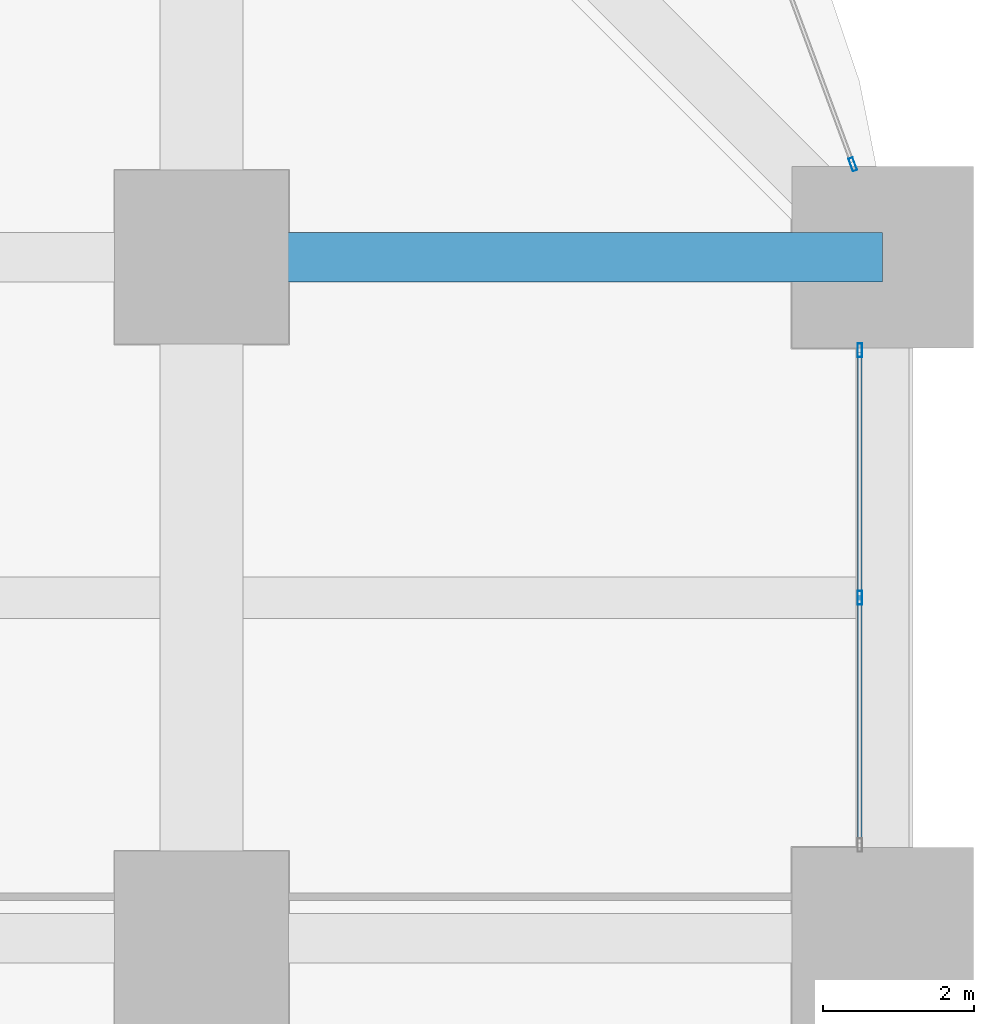
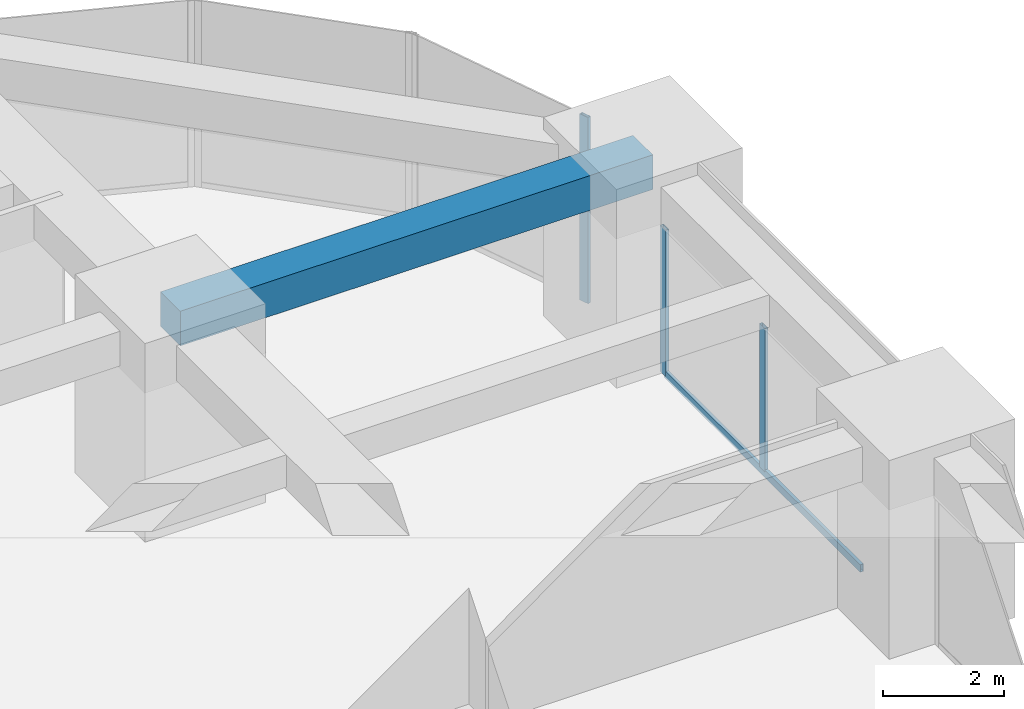
# One storey, part 34 of 44: 4 members, 1 beam, 2 elements without a shape of their own.
"""IFC4 building model written with IfcOpenShell, lengths in metres."""

import ifcopenshell
import ifcopenshell.guid

model = None  # the IFC model being written
_history = None  # IfcOwnerHistory: only IFC2X3 demands one
_inside = {}  # id of a spatial element -> (the spatial element, [elements in it])
_under = {}  # id of a project, library or spatial element -> (it, [spatial elements below it])
_declared = {}  # id of a project -> (the project, [libraries it declares])
_typed = {}  # id of a type object -> (the type object, [elements of that type])
_made_of = {}  # id of a material, layer set ... -> (it, [elements and type objects made of it])


def new_model(schema):
    """Start an empty IFC model of exactly this schema.

    Asked for "IFC4X3", IfcOpenShell would pick the latest addendum, in which some entities
    have other attributes; the version numbers below select the first issue.
    IFC2X3 requires an IfcOwnerHistory on every rooted entity: one is made here for all.
    """
    global model, _history
    if schema == "IFC4X3":
        model = ifcopenshell.file(schema_version=(4, 3, 0, 0))
    else:
        model = ifcopenshell.file(schema=schema)
    _inside.clear()
    _under.clear()
    _declared.clear()
    _typed.clear()
    _made_of.clear()
    _history = None
    if model.schema == "IFC2X3":
        org = make("IfcOrganization", Name="unknown")
        user = make(
            "IfcPersonAndOrganization",
            ThePerson=make("IfcPerson", FamilyName="unknown"),
            TheOrganization=org,
        )
        app = make(
            "IfcApplication",
            ApplicationDeveloper=org,
            Version="unknown",
            ApplicationFullName="unknown",
            ApplicationIdentifier="unknown",
        )
        _history = make(
            "IfcOwnerHistory",
            OwningUser=user,
            OwningApplication=app,
            ChangeAction="ADDED",
            CreationDate=0,
        )
    return model


def make(cls, **values):
    """One entity of the class cls with the attributes given. An attribute that is None is left unset."""
    return model.create_entity(
        cls, **{name: value for name, value in values.items() if value is not None}
    )


def rooted(cls, **values):
    """An entity with a GlobalId (a new one), such as an element, a storey or a relation."""
    return make(cls, GlobalId=ifcopenshell.guid.new(), OwnerHistory=_history, **values)


def si_unit(unit_type, name, prefix=None):
    """IfcSIUnit, for example si_unit("LENGTHUNIT", "METRE", prefix="MILLI")."""
    return make("IfcSIUnit", UnitType=unit_type, Prefix=prefix, Name=name)


def assignment(units):
    """IfcUnitAssignment: the units of a project."""
    return None if units is None else make("IfcUnitAssignment", Units=units)


def point(xyz):
    """IfcCartesianPoint."""
    return None if xyz is None else make("IfcCartesianPoint", Coordinates=xyz)


def direction(xyz):
    """IfcDirection."""
    return None if xyz is None else make("IfcDirection", DirectionRatios=xyz)


def frame(location, z_axis=None, x_axis=None):
    """IfcAxis2Placement3D, a coordinate frame: its origin and axes. An axis left out is left unset."""
    return make(
        "IfcAxis2Placement3D",
        Location=point(location),
        Axis=direction(z_axis),
        RefDirection=direction(x_axis),
    )


def frame_2d(location, x_axis=None):
    """IfcAxis2Placement2D, a coordinate frame in the plane: its origin and x axis."""
    return make(
        "IfcAxis2Placement2D", Location=point(location), RefDirection=direction(x_axis)
    )


def origin():
    """The frame at (0, 0, 0) with its axes left unset."""
    return frame((0.0, 0.0, 0.0))


def origin_2d():
    """The frame at (0, 0) in the plane with its x axis left unset."""
    return frame_2d((0.0, 0.0))


def place(relative_to, where):
    """IfcLocalPlacement: puts the frame where relative to a parent placement (None: the world)."""
    return make(
        "IfcLocalPlacement", PlacementRelTo=relative_to, RelativePlacement=where
    )


def context(
    kind, dimensions, precision=None, world=None, true_north=None, identifier=None
):
    """IfcGeometricRepresentationContext, for example the 3D "Model" context."""
    return make(
        "IfcGeometricRepresentationContext",
        ContextIdentifier=identifier,
        ContextType=kind,
        CoordinateSpaceDimension=dimensions,
        Precision=precision,
        WorldCoordinateSystem=world,
        TrueNorth=true_north,
    )


def subcontext(parent, identifier, kind, view, scale=None):
    """IfcGeometricRepresentationSubContext, for example "Body" below "Model"."""
    return make(
        "IfcGeometricRepresentationSubContext",
        ContextIdentifier=identifier,
        ContextType=kind,
        ParentContext=parent,
        TargetScale=scale,
        TargetView=view,
    )


def project(units=None, contexts=None):
    """IfcProject with its units and contexts."""
    return rooted(
        "IfcProject",
        Name="project",
        RepresentationContexts=contexts,
        UnitsInContext=assignment(units),
    )


def spatial(cls, under=None, at=None, **own):
    """A site, building, storey or space (cls), placed at a placement, below another one or the project."""
    s = rooted(cls, ObjectPlacement=at, **own)
    if under is not None:
        _under.setdefault(under.id(), (under, []))[1].append(s)
    return s


def profile(cls, at=None, kind="AREA", **sizes):
    """A parametric profile (cls). Its sizes go by their IFC names, for example OverallWidth=200.0."""
    return make(cls, ProfileType=kind, Position=at, **sizes)


def rectangle(**sizes):
    """IfcRectangleProfileDef."""
    return profile("IfcRectangleProfileDef", **sizes)


def hollow_rectangle(**sizes):
    """IfcRectangleHollowProfileDef."""
    return profile("IfcRectangleHollowProfileDef", **sizes)


def extrude(swept, where, along, depth):
    """IfcExtrudedAreaSolid: the profile swept, set in the frame where, extruded along a direction by depth."""
    return make(
        "IfcExtrudedAreaSolid",
        SweptArea=swept,
        Position=where,
        ExtrudedDirection=direction(along),
        Depth=depth,
    )


def shape(context_of_items, identifier, shape_type, items):
    """IfcShapeRepresentation: the items that make up one representation, for example the "Body"."""
    return make(
        "IfcShapeRepresentation",
        ContextOfItems=context_of_items,
        RepresentationIdentifier=identifier,
        RepresentationType=shape_type,
        Items=items,
    )


def material(Name=None, Category=None):
    """IfcMaterial."""
    return make("IfcMaterial", Name=Name, Category=Category)


def material_profile(
    of_material, cross_section, Name=None, Category=None, Priority=None
):
    """IfcMaterialProfile: a cross section and its material."""
    return make(
        "IfcMaterialProfile",
        Name=Name,
        Material=of_material,
        Profile=cross_section,
        Priority=Priority,
        Category=Category,
    )


def profile_set(profiles, Name=None, composite=None):
    """IfcMaterialProfileSet."""
    return make(
        "IfcMaterialProfileSet",
        Name=Name,
        MaterialProfiles=profiles,
        CompositeProfile=composite,
    )


def made_of(thing, what):
    """Note that an element or type object is made of a material, layer set ...; save() writes the relation."""
    if what is not None:
        _made_of.setdefault(what.id(), (what, []))[1].append(thing)
    return thing


def type_object(cls, material=None, **own):
    """A type object (cls), such as IfcWallType, which elements share."""
    return made_of(rooted(cls, **own), material)


def element(
    cls,
    number,
    at=None,
    inside=None,
    cuts=None,
    type_object=None,
    material=None,
    context=None,
    identifier="Body",
    shape_type=None,
    held_by="IfcProductDefinitionShape",
    body=None,
    shapes=None,
    **own,
):
    """One element of the class cls, such as IfcWall. Its Tag is "e" and its number.

    at: its placement. inside: the storey or other place that contains it. cuts: it is an
    opening in that element (IfcRelVoidsElement). A single representation is given by context,
    identifier, shape_type and body (its items); several are given by shapes. held_by: the class
    of the entity that holds the representations. save() writes the other relations.
    """
    e = rooted(cls, Tag="e%d" % number, ObjectPlacement=at, **own)
    if body is not None:
        shapes = [shape(context, identifier, shape_type, body)]
    if shapes is not None:
        e.Representation = make(held_by, Representations=shapes)
    if inside is not None:
        _inside.setdefault(inside.id(), (inside, []))[1].append(e)
    if cuts is not None:
        rooted(
            "IfcRelVoidsElement", RelatingBuildingElement=cuts, RelatedOpeningElement=e
        )
    if type_object is not None:
        _typed.setdefault(type_object.id(), (type_object, []))[1].append(e)
    return made_of(e, material)


def aggregate(whole, parts):
    """IfcRelAggregates: a whole, such as a stair, and the parts it consists of."""
    return rooted("IfcRelAggregates", RelatingObject=whole, RelatedObjects=parts)


def save(model, path):
    """Write the relations noted so far, then the file.

    IfcRelAggregates (storeys below a building ...), IfcRelContainedInSpatialStructure (elements
    in a storey), IfcRelDefinesByType, IfcRelAssociatesMaterial and IfcRelDeclares: one each for
    every whole, place, type object, material and project.
    """
    for whole, parts in _under.values():
        aggregate(whole, parts)
    for where, things in _inside.values():
        rooted(
            "IfcRelContainedInSpatialStructure",
            RelatedElements=things,
            RelatingStructure=where,
        )
    for kind, things in _typed.values():
        rooted("IfcRelDefinesByType", RelatedObjects=things, RelatingType=kind)
    for what, things in _made_of.values():
        rooted("IfcRelAssociatesMaterial", RelatedObjects=things, RelatingMaterial=what)
    for by, libraries in _declared.values():
        rooted("IfcRelDeclares", RelatingContext=by, RelatedDefinitions=libraries)
    model.write(path)


model = new_model("IFC4")

# Units and contexts
model_context = context("Model", 3, precision=1e-05, world=origin(), true_north=direction((0.0, 1.0)))
body_context = subcontext(model_context, "Body", "Model", "MODEL_VIEW")
ifc_project = project(units=[si_unit("LENGTHUNIT", "METRE"), si_unit("AREAUNIT", "SQUARE_METRE"), si_unit("VOLUMEUNIT", "CUBIC_METRE"), si_unit("PLANEANGLEUNIT", "RADIAN"), si_unit("MASSUNIT", "GRAM", prefix="KILO")], contexts=[model_context])

# Site, building, storey
site_placement = place(None, origin())
site = spatial("IfcSite", under=ifc_project, at=site_placement, CompositionType="ELEMENT")
building_placement = place(site_placement, origin())
building = spatial("IfcBuilding", under=site, at=building_placement, Name="Zorevar Civic Tower", CompositionType="ELEMENT")
storey_placement = place(building_placement, frame((0.0, 0.0, 31.800048828125)))
storey = spatial("IfcBuildingStorey", under=building, at=storey_placement, Name="L07", CompositionType="ELEMENT", Elevation=31.800048828125)

# Beam
ifc_material_1 = material(Name="Concrete C50/60", Category="concrete")
ifc_material_profile_1 = material_profile(ifc_material_1, rectangle(XDim=0.64990234375, YDim=0.699951171875, at=origin_2d()), Name="RC 650x700")
ifc_profile_set_1 = profile_set([ifc_material_profile_1], Name="Concrete C50/60")
beam_type = type_object("IfcBeamType", Name="Beam RC 650x700", PredefinedType="BEAM", material=ifc_profile_set_1)
beam_placement = place(storey_placement, frame((54.0, 45.0, 3.39990234375), z_axis=(1.0, 0.0, 0.0), x_axis=(0.0, 1.0, 0.0)))
element("IfcBeam", 1, at=beam_placement, inside=storey, type_object=beam_type, Name="Girder L08", PredefinedType="BEAM", context=body_context, shape_type="SweptSolid", body=[
    extrude(rectangle(XDim=0.64990234375, YDim=0.699951171875, at=origin_2d()), origin(), (0.0, 0.0, 1.0), 9.0),
])

# Curtain wall, members
ifc_material_2 = material(Name="Dark grey solar-control glass in black aluminium frame", Category="aluminium")
curtain_wall_type = type_object("IfcCurtainWallType", Name="Curtain wall CW2 low zone", PredefinedType="NOTDEFINED", material=ifc_material_2)
curtain_wall_1_placement = place(storey_placement, origin())
curtain_wall_1 = element("IfcCurtainWall", 2, at=curtain_wall_1_placement, inside=storey, type_object=curtain_wall_type, Name="CW2 L07", PredefinedType="NOTDEFINED")
ifc_material_3 = material(Name="Aluminium, black anodised", Category="aluminium")
ifc_material_profile_2 = material_profile(ifc_material_3, hollow_rectangle(XDim=0.06005859375, YDim=0.179931640625, WallThickness=0.00390625, at=origin_2d()), Name="AL 180x60x4")
ifc_profile_set_2 = profile_set([ifc_material_profile_2], Name="Aluminium, black anodised")
member_type_1 = type_object("IfcMemberType", Name="CW2 mullion AL 180x60x4", PredefinedType="MULLION", material=ifc_profile_set_2)
member_1_placement = place(storey_placement, frame((62.699951171875, 40.5, 0.06005859375), z_axis=(0.0, 0.0, 1.0), x_axis=(-1.0, 0.0, 0.0)))
member_1 = element("IfcMember", 3, at=member_1_placement, type_object=member_type_1, Name="CW2 mullion 2", PredefinedType="MULLION", context=body_context, shape_type="SweptSolid", body=[
    extrude(hollow_rectangle(XDim=0.06005859375, YDim=0.179931640625, WallThickness=0.00390625, at=origin_2d()), origin(), (0.0, 0.0, 1.0), 2.889892578125),
])
member_2_placement = place(storey_placement, frame((62.699951171875, 43.77001953125, 0.0), z_axis=(0.0, 0.0, 1.0), x_axis=(-1.0, 0.0, 0.0)))
member_2 = element("IfcMember", 4, at=member_2_placement, type_object=member_type_1, Name="CW2 mullion 3", PredefinedType="MULLION", context=body_context, shape_type="SweptSolid", body=[
    extrude(hollow_rectangle(XDim=0.06005859375, YDim=0.179931640625, WallThickness=0.00390625, at=origin_2d()), origin(), (0.0, 0.0, 1.0), 2.949951171875),
])

# Curtain wall, member
curtain_wall_2_placement = place(storey_placement, origin())
curtain_wall_2 = element("IfcCurtainWall", 5, at=curtain_wall_2_placement, inside=storey, type_object=curtain_wall_type, Name="CW2 L07", PredefinedType="NOTDEFINED")
member_3_placement = place(storey_placement, frame((62.6064453125, 46.22802734375, 0.0), z_axis=(0.0, 0.0, 1.0), x_axis=(-0.937974588163, -0.346704012033, 0.0)))
member_3 = element("IfcMember", 6, at=member_3_placement, type_object=member_type_1, Name="CW2 mullion 1", PredefinedType="MULLION", context=body_context, shape_type="SweptSolid", body=[
    extrude(hollow_rectangle(XDim=0.06005859375, YDim=0.179931640625, WallThickness=0.00390625, at=origin_2d()), origin(), (0.0, 0.0, 1.0), 3.75),
])
aggregate(curtain_wall_2, [member_3])

# Member
ifc_material_4 = material(Name="Aluminium, black anodised", Category="aluminium")
ifc_material_profile_3 = material_profile(ifc_material_4, hollow_rectangle(XDim=0.06005859375, YDim=0.14990234375, WallThickness=0.00390625, at=origin_2d()), Name="AL 150x60x4")
ifc_profile_set_3 = profile_set([ifc_material_profile_3], Name="Aluminium, black anodised")
member_type_2 = type_object("IfcMemberType", Name="CW2 transom AL 150x60x4", PredefinedType="USERDEFINED", material=ifc_profile_set_3)
member_4_placement = place(storey_placement, frame((62.699951171875, 37.260009765625, 0.030029296875), z_axis=(0.0, 1.0, 0.0), x_axis=(-1.0, 0.0, 0.0)))
member_4 = element("IfcMember", 7, at=member_4_placement, type_object=member_type_2, Name="CW2 sill transom", ObjectType="TRANSOM", PredefinedType="USERDEFINED", context=body_context, shape_type="SweptSolid", body=[
    extrude(hollow_rectangle(XDim=0.06005859375, YDim=0.14990234375, WallThickness=0.00390625, at=origin_2d()), origin(), (0.0, 0.0, 1.0), 6.47998046875),
])

aggregate(curtain_wall_1, [member_1, member_2, member_4])

save(model, "model.ifc")
